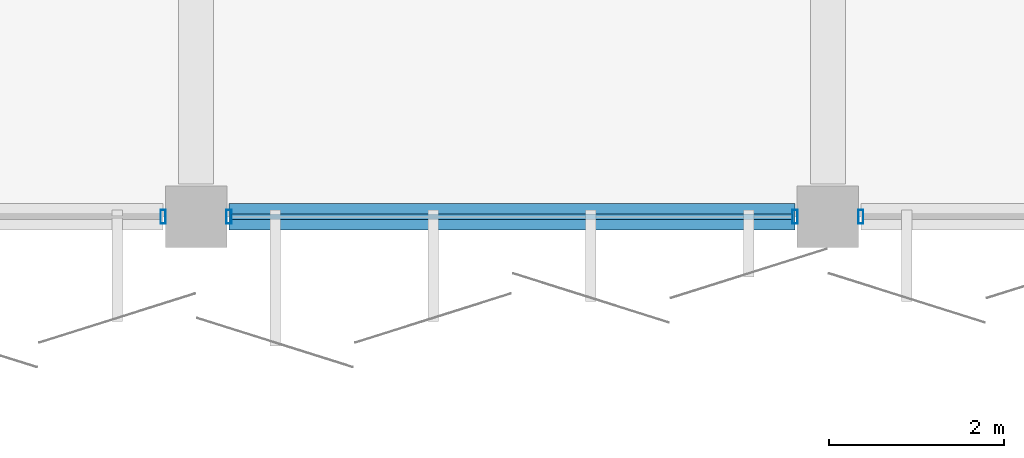
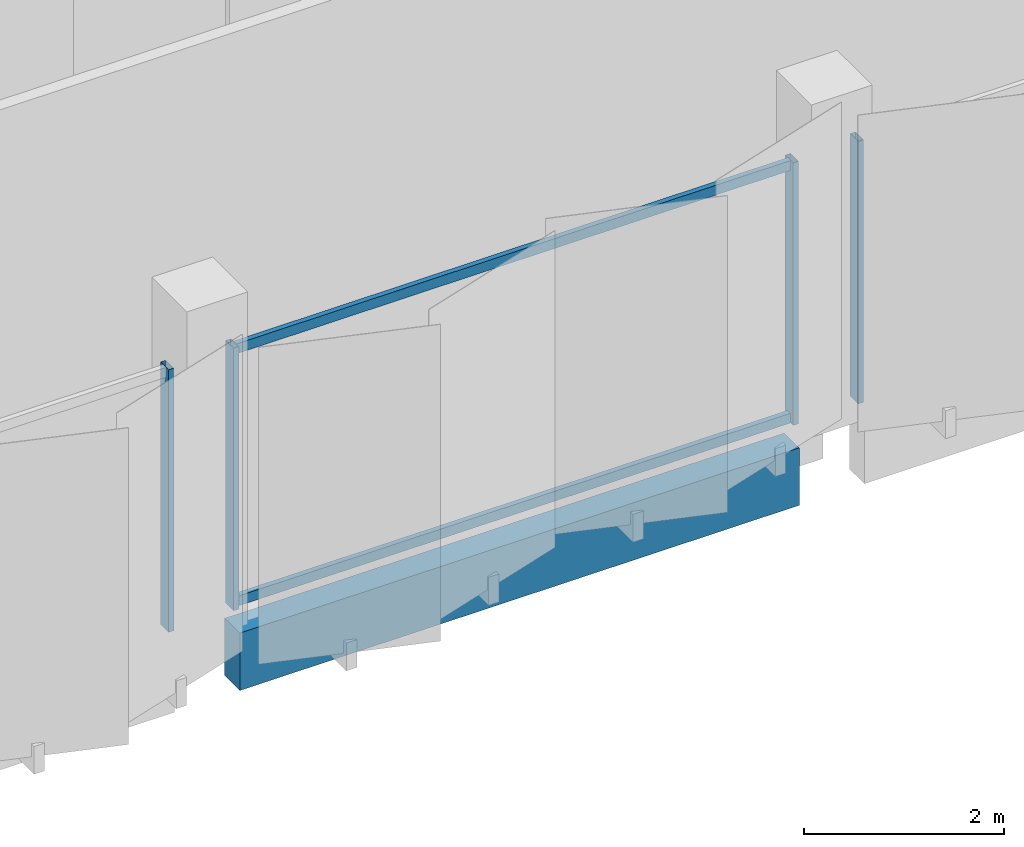
# One storey, part 60 of 107: 6 members, 1 beam, 3 elements without a shape of their own.
"""IFC4 building model written with IfcOpenShell, lengths in metres."""

from ifc_helpers import new_model, si_unit, direction, frame, origin, origin_2d, place, context, subcontext, project, spatial, rectangle, hollow_rectangle, extrude, material, layer, layer_set, material_profile, profile_set, type_object, element, aggregate, save


model = new_model("IFC4")

# Units and contexts
model_context = context("Model", 3, precision=1e-05, world=origin(), true_north=direction((0.0, 1.0)))
body_context = subcontext(model_context, "Body", "Model", "MODEL_VIEW")
ifc_project = project(units=[si_unit("LENGTHUNIT", "METRE"), si_unit("AREAUNIT", "SQUARE_METRE"), si_unit("VOLUMEUNIT", "CUBIC_METRE"), si_unit("PLANEANGLEUNIT", "RADIAN"), si_unit("MASSUNIT", "GRAM", prefix="KILO")], contexts=[model_context])

# Site, building, storey
site_placement = place(None, origin())
site = spatial("IfcSite", under=ifc_project, at=site_placement, CompositionType="ELEMENT")
building_placement = place(site_placement, origin())
building = spatial("IfcBuilding", under=site, at=building_placement, Name="Kangsadwip Square Police Headquarters", CompositionType="ELEMENT")
storey_placement = place(building_placement, frame((0.0, 0.0, 5.39990234375)))
storey = spatial("IfcBuildingStorey", under=building, at=storey_placement, Name="L01", CompositionType="ELEMENT", Elevation=5.39990234375)

# Curtain wall, member
ifc_material_1 = material(Name="Thermally broken anodised aluminium AW-6063-T6", Category="aluminium")
ifc_layer_1 = layer(ifc_material_1, 0.159912109375)
ifc_layer_set_1 = layer_set([ifc_layer_1], Name="Thermally broken anodised aluminium AW-6063-T6")
curtain_wall_type_1 = type_object("IfcCurtainWallType", Name="CourtScreen6510x3200", PredefinedType="USERDEFINED", material=ifc_layer_set_1)
curtain_wall_1_placement = place(storey_placement, origin())
curtain_wall_1 = element("IfcCurtainWall", 1, at=curtain_wall_1_placement, inside=storey, type_object=curtain_wall_type_1, Name="Curtain Wall CW-L01-1227-0936", ObjectType="GLAZED_SCREEN", PredefinedType="USERDEFINED")
ifc_material_2 = material(Name="Thermally broken anodised aluminium AW-6063-T6", Category="aluminium")
ifc_material_profile_1 = material_profile(ifc_material_2, hollow_rectangle(XDim=0.06005859375, YDim=0.159912109375, WallThickness=0.00390625, at=origin_2d()), Name="CWM 160X60X4")
ifc_profile_set_1 = profile_set([ifc_material_profile_1], Name="Thermally broken anodised aluminium AW-6063-T6")
member_type_1 = type_object("IfcMemberType", Name="CwMullion135x60", PredefinedType="MULLION", material=ifc_profile_set_1)
member_1_placement = place(storey_placement, frame((129.22509765625, 93.60009765625, 0.0), z_axis=(0.0, 0.0, 1.0), x_axis=(1.0, 0.0, 0.0)))
member_1 = element("IfcMember", 2, at=member_1_placement, type_object=member_type_1, Name="CW-19 mullion 2", PredefinedType="MULLION", context=body_context, shape_type="SweptSolid", body=[
    extrude(hollow_rectangle(XDim=0.06005859375, YDim=0.159912109375, WallThickness=0.00390625, at=origin_2d()), origin(), (0.0, 0.0, 1.0), 3.2001953125),
])
aggregate(curtain_wall_1, [member_1])

# Curtain wall, members
curtain_wall_2_placement = place(storey_placement, origin())
curtain_wall_2 = element("IfcCurtainWall", 3, at=curtain_wall_2_placement, inside=storey, type_object=curtain_wall_type_1, Name="Curtain Wall CW-L01-1299-0936", ObjectType="GLAZED_SCREEN", PredefinedType="USERDEFINED")
member_2_placement = place(storey_placement, frame((129.97509765625, 93.60009765625, 0.0), z_axis=(0.0, 0.0, 1.0), x_axis=(1.0, 0.0, 0.0)))
member_2 = element("IfcMember", 4, at=member_2_placement, type_object=member_type_1, Name="CW-19 mullion 1", PredefinedType="MULLION", context=body_context, shape_type="SweptSolid", body=[
    extrude(hollow_rectangle(XDim=0.06005859375, YDim=0.159912109375, WallThickness=0.00390625, at=origin_2d()), origin(), (0.0, 0.0, 1.0), 3.2001953125),
])
member_3_placement = place(storey_placement, frame((136.425048828125, 93.60009765625, 0.0), z_axis=(0.0, 0.0, 1.0), x_axis=(1.0, 0.0, 0.0)))
member_3 = element("IfcMember", 5, at=member_3_placement, type_object=member_type_1, Name="CW-19 mullion 2", PredefinedType="MULLION", context=body_context, shape_type="SweptSolid", body=[
    extrude(hollow_rectangle(XDim=0.06005859375, YDim=0.159912109375, WallThickness=0.00390625, at=origin_2d()), origin(), (0.0, 0.0, 1.0), 3.2001953125),
])

# Curtain wall, member
ifc_material_3 = material(Name="Thermally broken anodised aluminium AW-6063-T6", Category="aluminium")
ifc_layer_2 = layer(ifc_material_3, 0.159912109375)
ifc_layer_set_2 = layer_set([ifc_layer_2], Name="Thermally broken anodised aluminium AW-6063-T6")
curtain_wall_type_2 = type_object("IfcCurtainWallType", Name="CourtScreen6460x3200", PredefinedType="USERDEFINED", material=ifc_layer_set_2)
curtain_wall_3_placement = place(storey_placement, origin())
curtain_wall_3 = element("IfcCurtainWall", 6, at=curtain_wall_3_placement, inside=storey, type_object=curtain_wall_type_2, Name="Curtain Wall CW-L01-1371-0936", ObjectType="GLAZED_SCREEN", PredefinedType="USERDEFINED")
member_4_placement = place(storey_placement, frame((137.175048828125, 93.60009765625, 0.0), z_axis=(0.0, 0.0, 1.0), x_axis=(1.0, 0.0, 0.0)))
member_4 = element("IfcMember", 7, at=member_4_placement, type_object=member_type_1, Name="CW-16 mullion 1", PredefinedType="MULLION", context=body_context, shape_type="SweptSolid", body=[
    extrude(hollow_rectangle(XDim=0.06005859375, YDim=0.159912109375, WallThickness=0.00390625, at=origin_2d()), origin(), (0.0, 0.0, 1.0), 3.2001953125),
])
aggregate(curtain_wall_3, [member_4])

# Member
ifc_material_4 = material(Name="Thermally broken anodised aluminium AW-6063-T6", Category="aluminium")
ifc_material_profile_2 = material_profile(ifc_material_4, hollow_rectangle(XDim=0.06005859375, YDim=0.1201171875, WallThickness=0.00390625, at=origin_2d()), Name="CWT 120X60X4")
ifc_profile_set_2 = profile_set([ifc_material_profile_2], Name="Thermally broken anodised aluminium AW-6063-T6")
member_type_2 = type_object("IfcMemberType", Name="CwTransom120x55", PredefinedType="USERDEFINED", material=ifc_profile_set_2)
member_5_placement = place(storey_placement, frame((130.0048828125, 93.60009765625, 0.06005859375), z_axis=(1.0, 0.0, 0.0), x_axis=(0.0, 1.0, 0.0)))
member_5 = element("IfcMember", 8, at=member_5_placement, type_object=member_type_2, Name="CW-19 transom 1.1", ObjectType="TRANSOM", PredefinedType="USERDEFINED", context=body_context, shape_type="SweptSolid", body=[
    extrude(hollow_rectangle(XDim=0.06005859375, YDim=0.1201171875, WallThickness=0.00390625, at=origin_2d()), origin(), (0.0, 0.0, 1.0), 6.39013671875),
])

member_6_placement = place(storey_placement, frame((130.0048828125, 93.60009765625, 3.14013671875), z_axis=(1.0, 0.0, 0.0), x_axis=(0.0, 1.0, 0.0)))
member_6 = element("IfcMember", 9, at=member_6_placement, type_object=member_type_2, Name="CW-19 transom 1.2", ObjectType="TRANSOM", PredefinedType="USERDEFINED", context=body_context, shape_type="SweptSolid", body=[
    extrude(hollow_rectangle(XDim=0.06005859375, YDim=0.1201171875, WallThickness=0.00390625, at=origin_2d()), origin(), (0.0, 0.0, 1.0), 6.39013671875),
])

aggregate(curtain_wall_2, [member_2, member_3, member_5, member_6])

# Beam
ifc_material_5 = material(Name="Concrete M40 (40 MPa)", Category="concrete")
ifc_material_profile_3 = material_profile(ifc_material_5, rectangle(XDim=0.300048828125, YDim=0.699951171875, at=origin_2d()), Name="RC SPN 700X300")
ifc_profile_set_3 = profile_set([ifc_material_profile_3], Name="Concrete M40 (40 MPa)")
beam_type = type_object("IfcBeamType", Name="RcSpandrel700x300", PredefinedType="SPANDREL", material=ifc_profile_set_3)
beam_placement = place(storey_placement, frame((129.97509765625, 93.60009765625, -0.58984375), z_axis=(1.0, 0.0, 0.0), x_axis=(0.0, 1.0, 0.0)))
element("IfcBeam", 10, at=beam_placement, inside=storey, type_object=beam_type, Name="Beam BM-L01-X-18-13", PredefinedType="SPANDREL", context=body_context, shape_type="SweptSolid", body=[
    extrude(rectangle(XDim=0.300048828125, YDim=0.699951171875, at=origin_2d()), origin(), (0.0, 0.0, 1.0), 6.449951171875),
])

save(model, "model.ifc")
